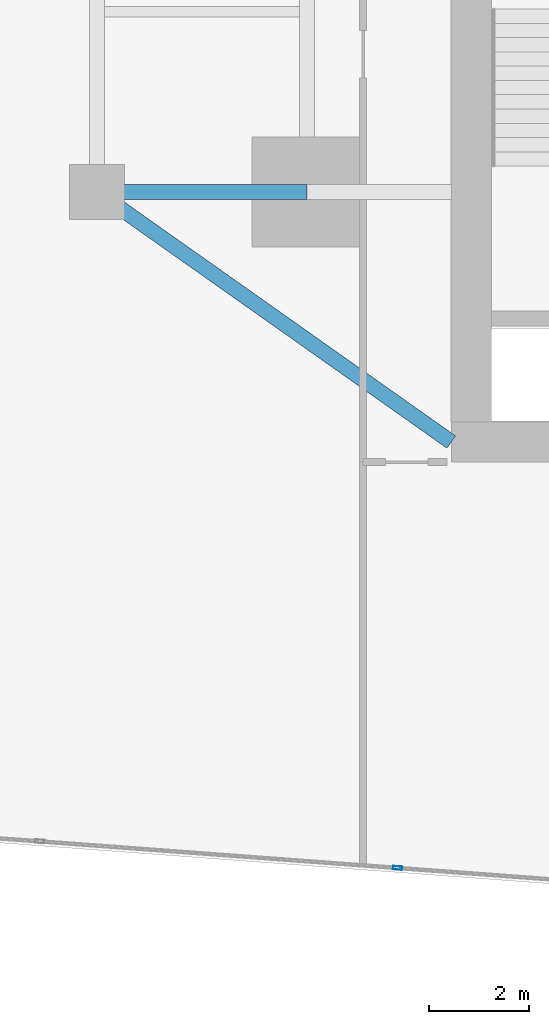
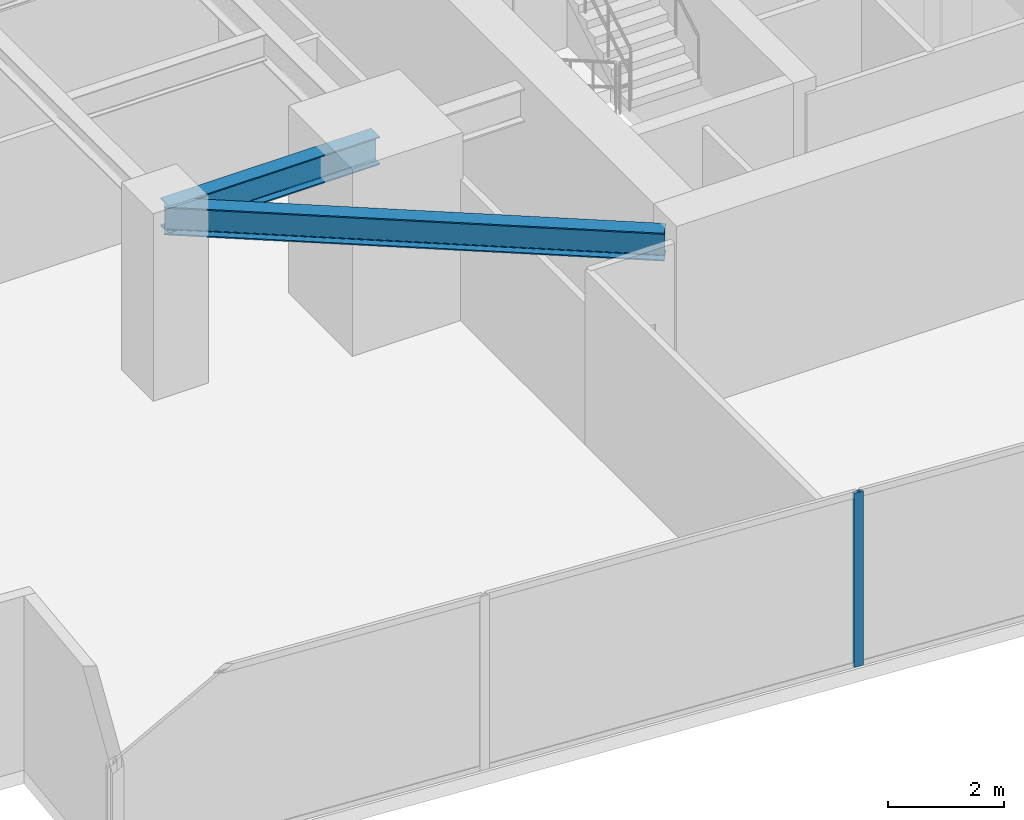
# One storey, part 5 of 30: 2 beams, 1 member, 1 element without a shape of its own.
"""IFC4 building model written with IfcOpenShell, lengths in metres."""

from ifc_helpers import new_model, si_unit, direction, frame, origin, origin_2d, place, context, subcontext, project, spatial, hollow_rectangle, i_section, extrude, source, transform, mapped, material, material_profile, profile_set, type_object, type_shapes, element, aggregate, save


model = new_model("IFC4")

# Units and contexts
model_context = context("Model", 3, precision=1e-05, world=origin(), true_north=direction((0.0, 1.0)))
body_context = subcontext(model_context, "Body", "Model", "MODEL_VIEW")
ifc_project = project(units=[si_unit("LENGTHUNIT", "METRE"), si_unit("AREAUNIT", "SQUARE_METRE"), si_unit("VOLUMEUNIT", "CUBIC_METRE"), si_unit("PLANEANGLEUNIT", "RADIAN"), si_unit("MASSUNIT", "GRAM", prefix="KILO")], contexts=[model_context])

# Site, building, storey
site_placement = place(None, origin())
site = spatial("IfcSite", under=ifc_project, at=site_placement, CompositionType="ELEMENT")
building_placement = place(site_placement, origin())
building = spatial("IfcBuilding", under=site, at=building_placement, Name="Krantzveldt Concourse Tower", CompositionType="ELEMENT")
storey_placement = place(building_placement, frame((0.0, 0.0, 48.699951171875)))
storey = spatial("IfcBuildingStorey", under=building, at=storey_placement, Name="L11", CompositionType="ELEMENT", Elevation=48.699951171875)

# Beams
ifc_material_1 = material(Name="Steel S355JR", Category="steel")
ifc_material_profile_1 = material_profile(ifc_material_1, i_section(OverallWidth=0.300048828125, OverallDepth=0.590087890625, WebThickness=0.012939453125, FlangeThickness=0.02490234375, FilletRadius=0.027099609375, at=origin_2d()), Name="Steel S355JR", Category="steel")
ifc_profile_set_1 = profile_set([ifc_material_profile_1], Name="Steel S355JR - HEA 600")
beam_type = type_object("IfcBeamType", Name="BM-B-HEA600", PredefinedType="BEAM", material=ifc_profile_set_1)
shared_shape_1 = source(origin(), body_context, "Body", "SweptSolid", [
    extrude(i_section(OverallWidth=0.300048828125, OverallDepth=0.590087890625, WebThickness=0.012939453125, FlangeThickness=0.02490234375, FilletRadius=0.027099609375, at=origin_2d()), origin(), (0.0, 0.0, 1.0), 4.199951171875),
])
beam_1_placement = place(storey_placement, frame((21.0, 15.89990234375, 3.375), z_axis=(1.0, 0.0, 0.0), x_axis=(0.0, 1.0, 0.0)))
element("IfcBeam", 1, at=beam_1_placement, inside=storey, type_object=beam_type, Name="L11 Tower Girder BR-RL1", PredefinedType="BEAM", context=body_context, shape_type="MappedRepresentation", body=[
    mapped(shared_shape_1, transform((0.0, 0.0, 0.0), x_axis=(1.0, 0.0, 0.0), y_axis=(0.0, 1.0, 0.0), z_axis=(0.0, 0.0, 1.0), scale=1.0)),
])
shared_shape_2 = source(origin(), body_context, "Body", "SweptSolid", [
    extrude(i_section(OverallWidth=0.300048828125, OverallDepth=0.590087890625, WebThickness=0.012939453125, FlangeThickness=0.02490234375, FilletRadius=0.027099609375, at=origin_2d()), origin(), (0.0, 0.0, 1.0), 8.667724609375),
])
type_shapes(beam_type, [shared_shape_1, shared_shape_2])
beam_2_placement = place(storey_placement, frame((21.0, 15.89990234375, 3.375), z_axis=(0.81684294656, -0.576860122261, 0.0), x_axis=(0.576860122261, 0.81684294656, 0.0)))
element("IfcBeam", 2, at=beam_2_placement, inside=storey, type_object=beam_type, Name="L11 Tower Girder BR-CSW", PredefinedType="BEAM", context=body_context, shape_type="MappedRepresentation", body=[
    mapped(shared_shape_2, transform((0.0, 0.0, 0.0), x_axis=(1.0, 0.0, 0.0), y_axis=(0.0, 1.0, 0.0), z_axis=(0.0, 0.0, 1.0), scale=1.0)),
])

# Curtain wall, member
ifc_material_2 = material(Name="Anodised aluminium 6063-T6", Category="aluminium")
curtain_wall_type = type_object("IfcCurtainWallType", Name="CW2", PredefinedType="USERDEFINED", material=ifc_material_2)
curtain_wall_placement = place(storey_placement, origin())
curtain_wall = element("IfcCurtainWall", 3, at=curtain_wall_placement, inside=storey, type_object=curtain_wall_type, Name="CW-L11-F04", ObjectType="UNITISED CURTAIN WALL", PredefinedType="USERDEFINED")
ifc_material_profile_2 = material_profile(ifc_material_2, hollow_rectangle(XDim=0.070068359375, YDim=0.179931640625, WallThickness=0.0048828125, at=origin_2d()), Name="Anodised aluminium 6063-T6", Category="aluminium")
ifc_profile_set_2 = profile_set([ifc_material_profile_2], Name="Anodised aluminium 6063-T6 - ALU-MULL 180x70x5")
member_type = type_object("IfcMemberType", Name="CW-MUL-180", PredefinedType="MULLION", material=ifc_profile_set_2)
shared_shape_3 = source(origin(), body_context, "Body", "SweptSolid", [
    extrude(hollow_rectangle(XDim=0.070068359375, YDim=0.179931640625, WallThickness=0.0048828125, at=origin_2d()), origin(), (0.0, 0.0, 1.0), 3.670166015625),
])
type_shapes(member_type, [shared_shape_3])
member_placement = place(storey_placement, frame((27.007080078125, 2.3896484375, 0.0), z_axis=(0.0, 0.0, 1.0), x_axis=(0.07410860051, 0.997250176902, 0.0)))
member = element("IfcMember", 4, at=member_placement, type_object=member_type, Name="CW-Z12 mullion 3", PredefinedType="MULLION", context=body_context, shape_type="MappedRepresentation", body=[
    mapped(shared_shape_3, transform((0.0, 0.0, 0.0), x_axis=(1.0, 0.0, 0.0), y_axis=(0.0, 1.0, 0.0), z_axis=(0.0, 0.0, 1.0), scale=1.0)),
])
aggregate(curtain_wall, [member])

save(model, "model.ifc")
